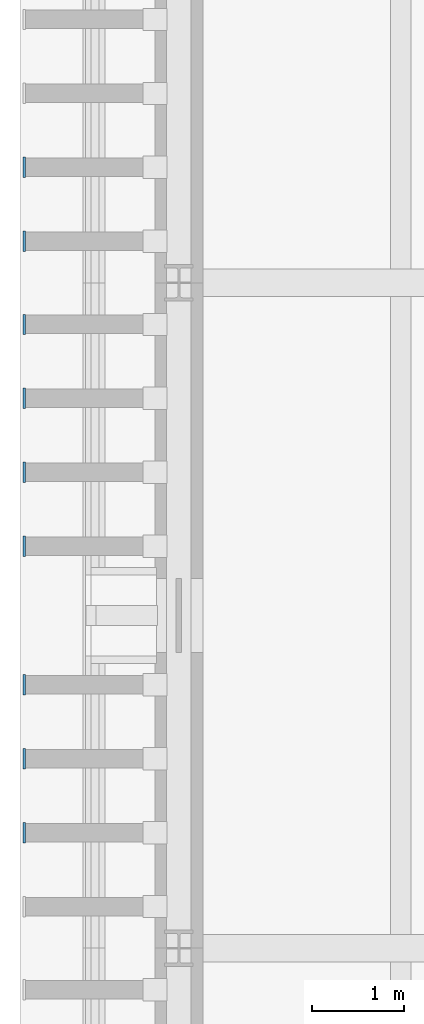
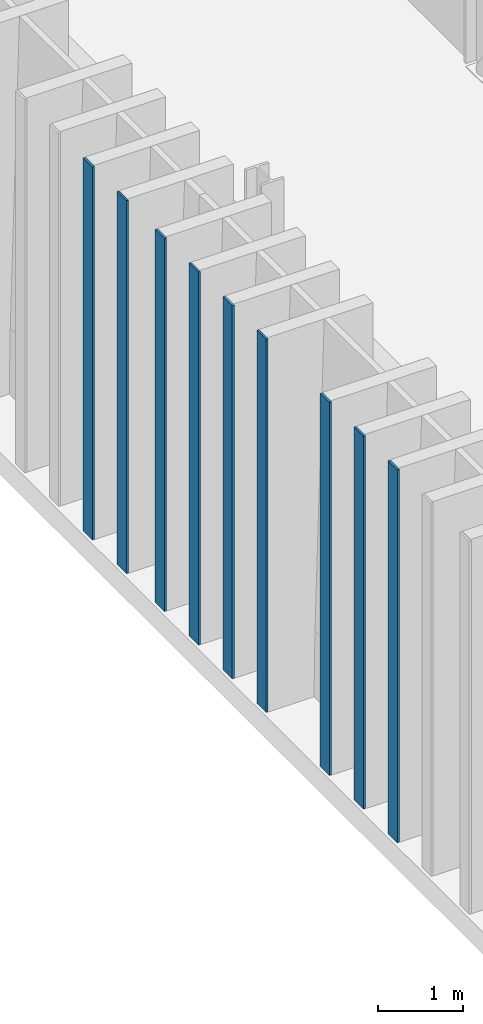
# One storey, part 58 of 120: 9 plates.
"""IFC4 building model written with IfcOpenShell, lengths in metres."""

from ifc_helpers import new_model, si_unit, direction, frame, origin, origin_2d, place, context, subcontext, project, spatial, rectangle, extrude, material, layer, layer_set, type_object, element, save


model = new_model("IFC4")

# Units and contexts
model_context = context("Model", 3, precision=1e-05, world=origin(), true_north=direction((0.0, 1.0)))
body_context = subcontext(model_context, "Body", "Model", "MODEL_VIEW")
ifc_project = project(units=[si_unit("LENGTHUNIT", "METRE"), si_unit("AREAUNIT", "SQUARE_METRE"), si_unit("VOLUMEUNIT", "CUBIC_METRE"), si_unit("PLANEANGLEUNIT", "RADIAN"), si_unit("MASSUNIT", "GRAM", prefix="KILO")], contexts=[model_context])

# Site, building, storey
site_placement = place(None, origin())
site = spatial("IfcSite", under=ifc_project, at=site_placement, CompositionType="ELEMENT")
building_placement = place(site_placement, origin())
building = spatial("IfcBuilding", under=site, at=building_placement, Name="Narikvali Park Central Library", CompositionType="ELEMENT")
storey_placement = place(building_placement, origin())
storey = spatial("IfcBuildingStorey", under=building, at=storey_placement, Name="L00", CompositionType="ELEMENT", Elevation=0.0)

# Plates
ifc_material = material(Name="Anodised Bronze Aluminium", Category="aluminium")
ifc_layer = layer(ifc_material, 0.028076171875, Name="Anodised Bronze Aluminium")
ifc_layer_set = layer_set([ifc_layer], Name="Anodised Bronze Aluminium")
plate_type = type_object("IfcPlateType", Name="Vertical Brick Fin Bronze Bullnose Cap 28", PredefinedType="SHEET", material=ifc_layer_set)
for number, where, z_axis, x_axis, name in (
    (1, (-1.672119140625, 87.64990234375, 0.010009765625), (0.0, 0.0, 1.0), (1.0, 0.0, 0.0), "West Stacks Fin Bullnose Trim 367"),
    (2, (-1.672119140625, 88.449951171875, 0.010009765625), (0.0, 0.0, 1.0), (1.0, 0.0, 0.0), "West Stacks Fin Bullnose Trim 373"),
    (3, (-1.672119140625, 89.25, 0.010009765625), (0.0, 0.0, 1.0), (1.0, 0.0, 0.0), "West Stacks Fin Bullnose Trim 379"),
    (4, (-1.672119140625, 90.75, 0.010009765625), (0.0, 0.0, 1.0), (1.0, 0.0, 0.0), "West Stacks Fin Bullnose Trim 385"),
    (5, (-1.672119140625, 91.550048828125, 0.010009765625), (0.0, 0.0, 1.0), (1.0, 0.0, 0.0), "West Stacks Fin Bullnose Trim 391"),
    (6, (-1.672119140625, 92.35009765625, 0.010009765625), (0.0, 0.0, 1.0), (1.0, 0.0, 0.0), "West Stacks Fin Bullnose Trim 397"),
    (7, (-1.672119140625, 93.14990234375, 0.010009765625), (0.0, 0.0, 1.0), (1.0, 0.0, 0.0), "West Stacks Fin Bullnose Trim 403"),
    (8, (-1.672119140625, 94.050048828125, 0.010009765625), (0.0, 0.0, 1.0), (1.0, 0.0, 0.0), "West Stacks Fin Bullnose Trim 409"),
    (9, (-1.672119140625, 94.85009765625, 0.010009765625), (0.0, 0.0, 1.0), (1.0, 0.0, 0.0), "West Stacks Fin Bullnose Trim 415"),
):
    element("IfcPlate", number, at=place(storey_placement, frame(where, z_axis=z_axis, x_axis=x_axis)), inside=storey, type_object=plate_type, Name=name, PredefinedType="SHEET", context=body_context, shape_type="SweptSolid", body=[
        extrude(rectangle(XDim=0.028076171875, YDim=0.219970703125, at=origin_2d()), origin(), (0.0, 0.0, 1.0), 5.3798828125),
    ])

save(model, "model.ifc")
